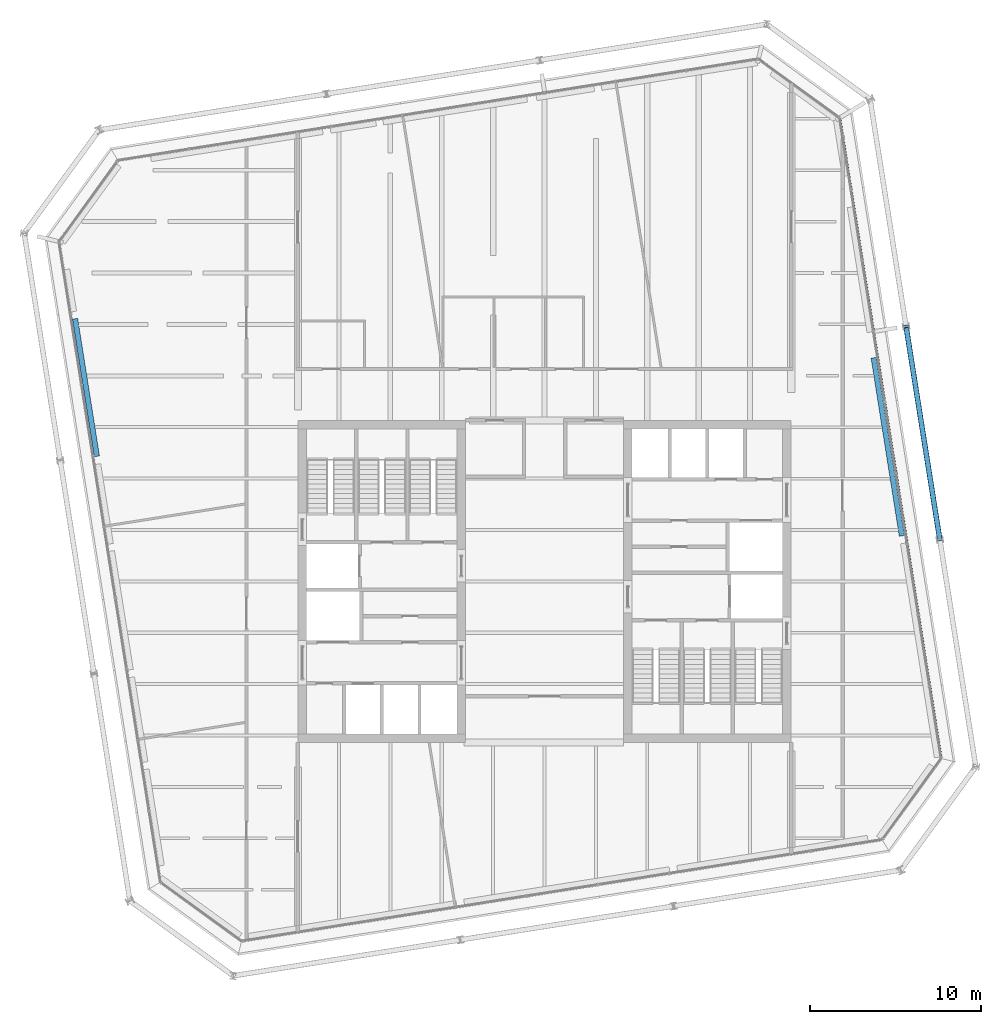
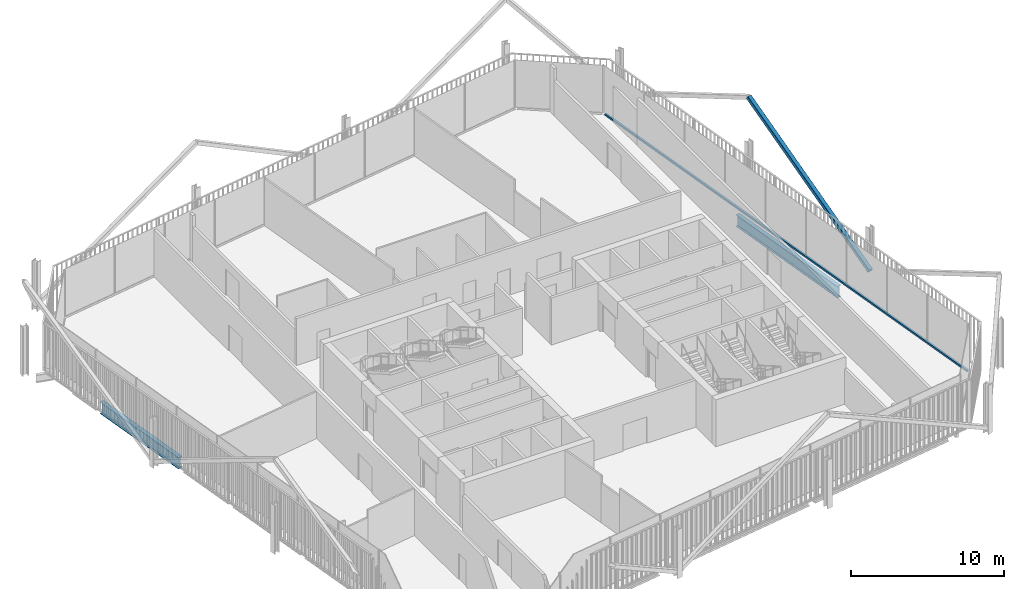
# One storey, part 9 of 20: 2 beams, 2 members, 1 element without a shape of its own.
"""IFC4 building model written with IfcOpenShell, lengths in metres."""

from ifc_helpers import new_model, si_unit, direction, frame, origin, origin_2d, place, context, subcontext, project, spatial, rectangle, hollow_rectangle, i_section, extrude, material, layer, layer_set, material_profile, profile_set, type_object, element, aggregate, save


model = new_model("IFC4")

# Units and contexts
model_context = context("Model", 3, precision=1e-05, world=origin(), true_north=direction((0.0, 1.0)))
body_context = subcontext(model_context, "Body", "Model", "MODEL_VIEW")
ifc_project = project(units=[si_unit("LENGTHUNIT", "METRE"), si_unit("AREAUNIT", "SQUARE_METRE"), si_unit("VOLUMEUNIT", "CUBIC_METRE"), si_unit("PLANEANGLEUNIT", "RADIAN"), si_unit("MASSUNIT", "GRAM", prefix="KILO")], contexts=[model_context])

# Site, building, storey
site_placement = place(None, origin())
site = spatial("IfcSite", under=ifc_project, at=site_placement, CompositionType="ELEMENT")
building_placement = place(site_placement, origin())
building = spatial("IfcBuilding", under=site, at=building_placement, Name="Millrace Tower", CompositionType="ELEMENT")
storey_placement = place(building_placement, frame((0.0, 0.0, 204.699951171875)))
storey = spatial("IfcBuildingStorey", under=building, at=storey_placement, Name="L46", CompositionType="ELEMENT", Elevation=204.699951171875)

# Curtain wall, member
ifc_material_1 = material(Name="Aluminium and glass", Category="aluminium")
ifc_layer = layer(ifc_material_1, 0.14990234375)
ifc_layer_set = layer_set([ifc_layer], Name="Aluminium and glass")
curtain_wall_type = type_object("IfcCurtainWallType", Name="CW-1 office vision curtain wall", PredefinedType="NOTDEFINED", material=ifc_layer_set)
curtain_wall_placement = place(storey_placement, origin())
curtain_wall = element("IfcCurtainWall", 1, at=curtain_wall_placement, inside=storey, type_object=curtain_wall_type, Name="Curtain wall D-F04 L46", PredefinedType="NOTDEFINED")
ifc_material_2 = material(Name="Aluminium", Category="aluminium")
ifc_material_profile_1 = material_profile(ifc_material_2, rectangle(XDim=0.14990234375, YDim=0.139892578125, at=origin_2d()))
ifc_profile_set_1 = profile_set([ifc_material_profile_1], Name="Aluminium")
member_type_1 = type_object("IfcMemberType", Name="CW-1 office vision curtain wall transom", PredefinedType="USERDEFINED", material=ifc_profile_set_1)
member_1_placement = place(storey_placement, frame((23.1318359375, -10.208740234375, 0.070068359375), z_axis=(-0.156432359726, 0.987688674042, 0.0), x_axis=(-0.987688674042, -0.156432359726, 0.0)))
member_1 = element("IfcMember", 2, at=member_1_placement, type_object=member_type_1, Name="CW1 transom D-F04.1", ObjectType="TRANSOM", PredefinedType="USERDEFINED", context=body_context, shape_type="SweptSolid", body=[
    extrude(rectangle(XDim=0.14990234375, YDim=0.139892578125, at=origin_2d()), origin(), (0.0, 0.0, 1.0), 37.599853515625),
])
aggregate(curtain_wall, [member_1])

# Member
ifc_material_3 = material(Name="Steel ASTM A500 Grade C", Category="steel")
ifc_material_profile_2 = material_profile(ifc_material_3, hollow_rectangle(XDim=0.3046875, YDim=0.3046875, WallThickness=0.0126953125, InnerFilletRadius=0.00634765625, OuterFilletRadius=0.01904296875, at=origin_2d()))
ifc_profile_set_2 = profile_set([ifc_material_profile_2], Name="Steel ASTM A500 Grade C")
member_type_2 = type_object("IfcMemberType", Name="Exoskeleton brace HSS12x12x1/2", PredefinedType="BRACE", material=ifc_profile_set_2)
member_2_placement = place(storey_placement, frame((23.07763671875, 2.4384765625, 0.400146484375), z_axis=(-0.136740080373, 0.863395126588, 0.485644937998), x_axis=(-0.987689802912, -0.156425232058, 0.0)))
element("IfcMember", 3, at=member_2_placement, inside=storey, type_object=member_type_2, Name="BRC-D-L46-07", PredefinedType="BRACE", context=body_context, shape_type="SweptSolid", body=[
    extrude(hollow_rectangle(XDim=0.3046875, YDim=0.3046875, WallThickness=0.0126953125, InnerFilletRadius=0.00634765625, OuterFilletRadius=0.01904296875, at=origin_2d()), origin(), (0.0, 0.0, 1.0), 14.413818359375),
])

# Beams
ifc_material_4 = material(Name="Steel ASTM A992 Grade 50", Category="steel")
ifc_material_profile_3 = material_profile(ifc_material_4, i_section(OverallWidth=0.307373046875, OverallDepth=0.927001953125, WebThickness=0.01953125, FlangeThickness=0.031982421875, FilletRadius=0.01904296875, at=origin_2d()))
ifc_profile_set_3 = profile_set([ifc_material_profile_3], Name="Steel ASTM A992 Grade 50")
beam_type = type_object("IfcBeamType", Name="Ring beam short span W36x194", PredefinedType="SPANDREL", material=ifc_profile_set_3)
beam_1_placement = place(storey_placement, frame((-26.135009765625, 7.2998046875, -0.62353515625), z_axis=(-0.156429637326, 0.987689105218, 0.0), x_axis=(-0.987689105218, -0.156429637326, 0.0)))
element("IfcBeam", 4, at=beam_1_placement, inside=storey, type_object=beam_type, Name="RNG-D-L46-S1-03-a", PredefinedType="SPANDREL", context=body_context, shape_type="SweptSolid", body=[
    extrude(i_section(OverallWidth=0.307373046875, OverallDepth=0.927001953125, WebThickness=0.01953125, FlangeThickness=0.031982421875, FilletRadius=0.01904296875, at=origin_2d()), origin(), (0.0, 0.0, 1.0), 8.1328125),
])
beam_2_placement = place(storey_placement, frame((19.216552734375, 13.050537109375, -0.62353515625), z_axis=(0.156415003938, -0.987691422734, 0.0), x_axis=(0.987691422734, 0.156415003938, 0.0)))
element("IfcBeam", 5, at=beam_2_placement, inside=storey, type_object=beam_type, Name="RNG-D-L46-S1-10", PredefinedType="SPANDREL", context=body_context, shape_type="SweptSolid", body=[
    extrude(i_section(OverallWidth=0.307373046875, OverallDepth=0.927001953125, WebThickness=0.01953125, FlangeThickness=0.031982421875, FilletRadius=0.01904296875, at=origin_2d()), origin(), (0.0, 0.0, 1.0), 10.529541015625),
])

save(model, "model.ifc")
